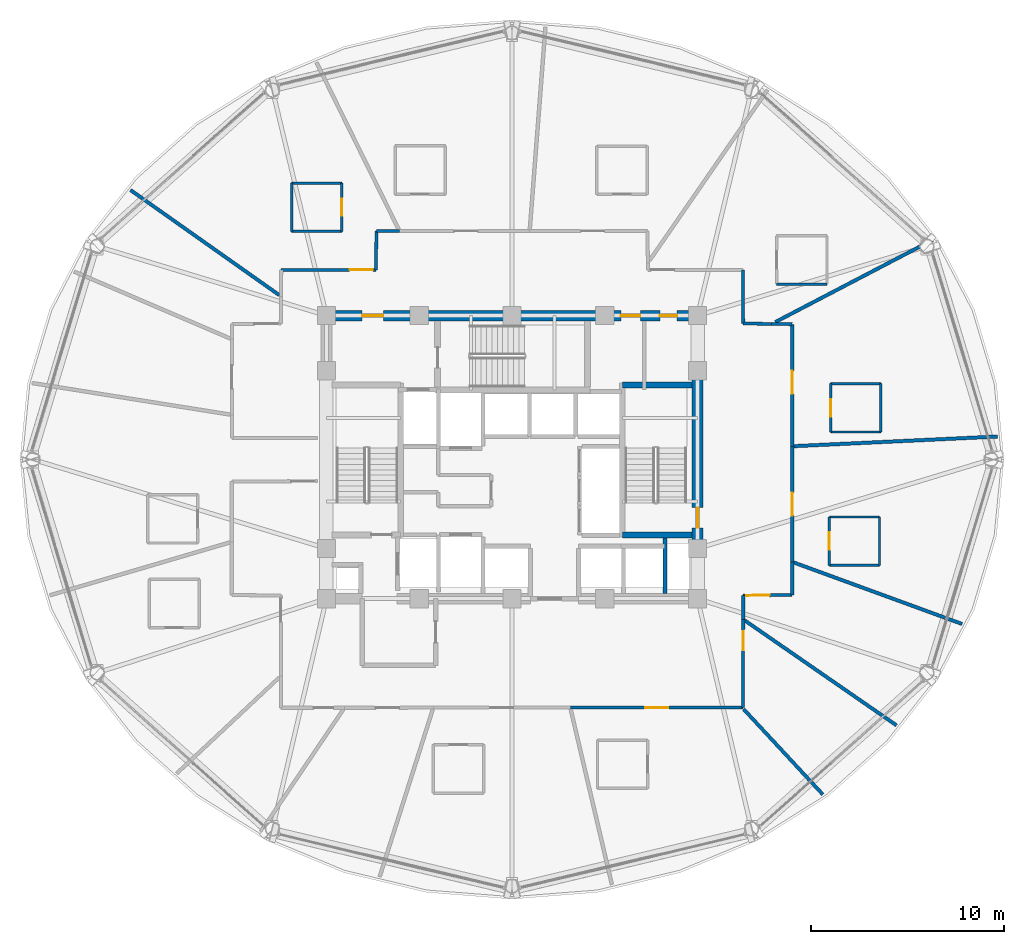
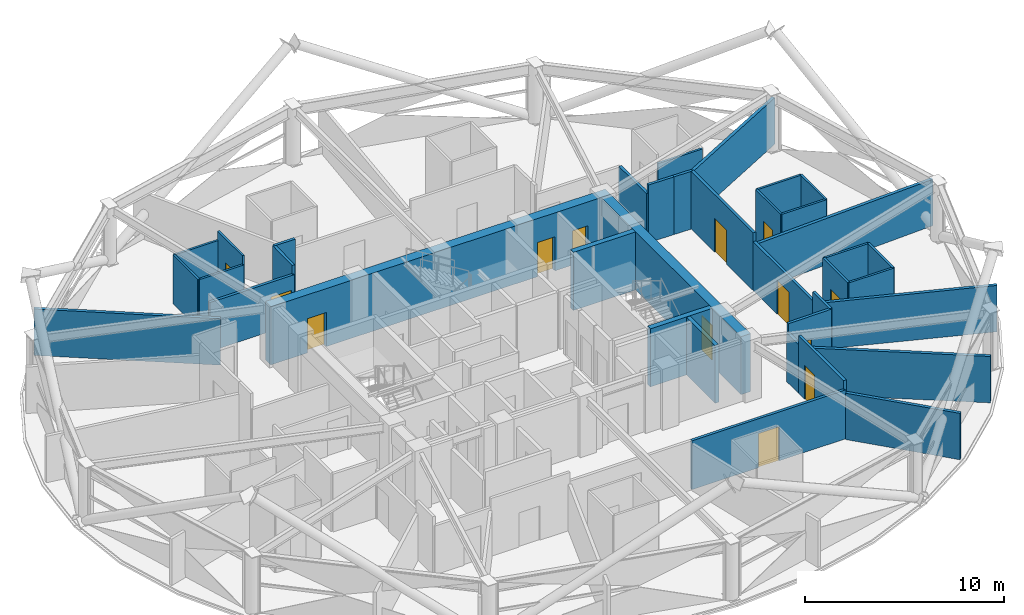
# One storey, part 24 of 29: 37 walls, 13 doors, 13 openings.
"""IFC4 building model written with IfcOpenShell, lengths in metres."""

from ifc_helpers import new_model, si_unit, direction, frame, frame_2d, origin, place, context, subcontext, project, spatial, rectangle, extrude, material, layer, layer_set, type_object, element, fill, save


model = new_model("IFC4")

# Units and contexts
model_context = context("Model", 3, precision=1e-05, world=origin(), true_north=direction((0.0, 1.0)))
body_context = subcontext(model_context, "Body", "Model", "MODEL_VIEW")
ifc_project = project(units=[si_unit("LENGTHUNIT", "METRE"), si_unit("AREAUNIT", "SQUARE_METRE"), si_unit("VOLUMEUNIT", "CUBIC_METRE"), si_unit("PLANEANGLEUNIT", "RADIAN"), si_unit("MASSUNIT", "GRAM", prefix="KILO")], contexts=[model_context])

# Site, building, storey
site_placement = place(None, origin())
site = spatial("IfcSite", under=ifc_project, at=site_placement, CompositionType="ELEMENT")
building_placement = place(site_placement, origin())
building = spatial("IfcBuilding", under=site, at=building_placement, Name="Vantalir Tower", CompositionType="ELEMENT")
storey_placement = place(building_placement, frame((0.0, 0.0, 149.699951171875)))
storey = spatial("IfcBuildingStorey", under=building, at=storey_placement, Name="L37", CompositionType="ELEMENT", Elevation=149.699951171875)

# Walls
ifc_material_1 = material(Name="Moisture-resistant en-suite partition", Category="gypsum")
ifc_layer_1 = layer(ifc_material_1, 0.125)
ifc_layer_set_1 = layer_set([ifc_layer_1], Name="Moisture-resistant en-suite partition")
wall_type_1 = type_object("IfcWallType", Name="WL-BATH-125", PredefinedType="PARTITIONING", material=ifc_layer_set_1)
for number, where, z_axis, x_axis, name in (
    (1, (47.988037109375, 26.425048828125, 0.0), (0.0, 0.0, 1.0), (1.0, 0.0, 0.0), "L37 En-suite 01 South Wall"),
    (2, (47.988037109375, 28.925048828125, 0.0), (0.0, 0.0, 1.0), (1.0, 0.0, 0.0), "L37 En-suite 01 North Wall"),
):
    element("IfcWall", number, at=place(storey_placement, frame(where, z_axis=z_axis, x_axis=x_axis)), inside=storey, type_object=wall_type_1, Name=name, PredefinedType="PARTITIONING", context=body_context, shape_type="SweptSolid", body=[
        extrude(rectangle(XDim=2.599853515625, YDim=0.125, at=frame_2d((1.2998046875, 0.0))), origin(), (0.0, 0.0, 1.0), 3.550048828125),
    ])

# Wall, opening, door
wall_1_placement = place(storey_placement, frame((47.988037109375, 26.425048828125, 0.0), z_axis=(0.0, 0.0, 1.0), x_axis=(0.0, 1.0, 0.0)))
wall_1 = element("IfcWall", 3, at=wall_1_placement, inside=storey, type_object=wall_type_1, Name="L37 En-suite 01 West Wall", PredefinedType="PARTITIONING", context=body_context, shape_type="SweptSolid", body=[
    extrude(rectangle(XDim=2.5, YDim=0.125, at=frame_2d((1.25, 0.0))), origin(), (0.0, 0.0, 1.0), 3.550048828125),
])
opening_1_placement = place(wall_1_placement, frame((0.800048828125, 0.0, 0.0)))
opening_1 = element("IfcOpeningElement", 4, at=opening_1_placement, cuts=wall_1, Name="Opening D-WC", PredefinedType="OPENING", context=body_context, shape_type="SweptSolid", body=[
    extrude(rectangle(XDim=0.89990234375, YDim=2.10009765625, at=frame_2d((0.449951171875, 1.050048828125))), frame((0.0, 0.072509765625, 0.0), z_axis=(0.0, -1.0, 0.0), x_axis=(1.0, 0.0, 0.0)), (0.0, 0.0, 1.0), 0.14501953125),
])
ifc_material_2 = material(Name="Moisture-resistant hardwood door", Category="wood")
door_type_1 = type_object("IfcDoorType", Name="DR-ENSUITE-900", OperationType="NOTDEFINED", PredefinedType="DOOR", material=ifc_material_2)
door_1_placement = place(opening_1_placement, frame((0.89990234375, 0.0, 0.0), z_axis=(0.0, 0.0, 1.0), x_axis=(-1.0, 0.0, 0.0)))
door_1 = element("IfcDoor", 5, at=door_1_placement, inside=storey, type_object=door_type_1, Name="L37 En-suite 01 Door", OperationType="SINGLE_SWING_LEFT", OverallHeight=2.10009765625, OverallWidth=0.89990234375, PredefinedType="DOOR", context=body_context, shape_type="SweptSolid", body=[
    extrude(rectangle(XDim=0.89990234375, YDim=2.10009765625, at=frame_2d((0.449951171875, 1.050048828125))), frame((0.0, 0.02490234375, 0.0), z_axis=(0.0, -1.0, 0.0), x_axis=(1.0, 0.0, 0.0)), (0.0, 0.0, 1.0), 0.050048828125),
])
fill(opening_1, door_1)

# Walls
wall_2_placement = place(storey_placement, frame((50.587890625, 26.425048828125, 0.0), z_axis=(0.0, 0.0, 1.0), x_axis=(0.0, 1.0, 0.0)))
element("IfcWall", 6, at=wall_2_placement, inside=storey, type_object=wall_type_1, Name="L37 En-suite 01 East Wall", PredefinedType="PARTITIONING", context=body_context, shape_type="SweptSolid", body=[
    extrude(rectangle(XDim=2.5, YDim=0.125, at=frame_2d((1.25, 0.0))), origin(), (0.0, 0.0, 1.0), 3.550048828125),
])
for number, where, z_axis, x_axis, name in (
    (7, (45.198974609375, 34.080078125, 0.0), (0.0, 0.0, 1.0), (1.0, 0.0, 0.0), "L37 En-suite 02 South Wall"),
    (8, (20.097900390625, 36.806884765625, 0.0), (0.0, 0.0, 1.0), (1.0, 0.0, 0.0), "L37 En-suite 05 South Wall"),
    (9, (20.097900390625, 39.306884765625, 0.0), (0.0, 0.0, 1.0), (1.0, 0.0, 0.0), "L37 En-suite 05 North Wall"),
):
    element("IfcWall", number, at=place(storey_placement, frame(where, z_axis=z_axis, x_axis=x_axis)), inside=storey, type_object=wall_type_1, Name=name, PredefinedType="PARTITIONING", context=body_context, shape_type="SweptSolid", body=[
        extrude(rectangle(XDim=2.60009765625, YDim=0.125, at=frame_2d((1.300048828125, 0.0))), origin(), (0.0, 0.0, 1.0), 3.006103515625),
    ])
wall_3_placement = place(storey_placement, frame((20.097900390625, 36.806884765625, 0.0), z_axis=(0.0, 0.0, 1.0), x_axis=(0.0, 1.0, 0.0)))
element("IfcWall", 10, at=wall_3_placement, inside=storey, type_object=wall_type_1, Name="L37 En-suite 05 West Wall", PredefinedType="PARTITIONING", context=body_context, shape_type="SweptSolid", body=[
    extrude(rectangle(XDim=2.5, YDim=0.125, at=frame_2d((1.25, 0.0))), origin(), (0.0, 0.0, 1.0), 3.006103515625),
])

# Wall, opening, door
wall_4_placement = place(storey_placement, frame((22.697998046875, 36.806884765625, 0.0), z_axis=(0.0, 0.0, 1.0), x_axis=(0.0, 1.0, 0.0)))
wall_4 = element("IfcWall", 11, at=wall_4_placement, inside=storey, type_object=wall_type_1, Name="L37 En-suite 05 East Wall", PredefinedType="PARTITIONING", context=body_context, shape_type="SweptSolid", body=[
    extrude(rectangle(XDim=2.5, YDim=0.125, at=frame_2d((1.25, 0.0))), origin(), (0.0, 0.0, 1.0), 3.550048828125),
])
opening_2_placement = place(wall_4_placement, frame((0.800048828125, 0.0, 0.0)))
opening_2 = element("IfcOpeningElement", 12, at=opening_2_placement, cuts=wall_4, Name="Opening D-WC", PredefinedType="OPENING", context=body_context, shape_type="SweptSolid", body=[
    extrude(rectangle(XDim=0.89990234375, YDim=2.10009765625, at=frame_2d((0.449951171875, 1.050048828125))), frame((0.0, 0.072509765625, 0.0), z_axis=(0.0, -1.0, 0.0), x_axis=(1.0, 0.0, 0.0)), (0.0, 0.0, 1.0), 0.14501953125),
])
door_2_placement = place(opening_2_placement, origin())
door_2 = element("IfcDoor", 13, at=door_2_placement, inside=storey, type_object=door_type_1, Name="L37 En-suite 05 Door", OperationType="SINGLE_SWING_LEFT", OverallHeight=2.10009765625, OverallWidth=0.89990234375, PredefinedType="DOOR", context=body_context, shape_type="SweptSolid", body=[
    extrude(rectangle(XDim=0.89990234375, YDim=2.10009765625, at=frame_2d((0.449951171875, 1.050048828125))), frame((0.0, 0.02490234375, 0.0), z_axis=(0.0, -1.0, 0.0), x_axis=(1.0, 0.0, 0.0)), (0.0, 0.0, 1.0), 0.050048828125),
])
fill(opening_2, door_2)

# Walls
for number, where, z_axis, x_axis, name in (
    (14, (47.9169921875, 19.527099609375, 0.0), (0.0, 0.0, 1.0), (1.0, 0.0, 0.0), "L37 En-suite 16 South Wall"),
    (15, (47.9169921875, 22.027099609375, 0.0), (0.0, 0.0, 1.0), (1.0, 0.0, 0.0), "L37 En-suite 16 North Wall"),
):
    element("IfcWall", number, at=place(storey_placement, frame(where, z_axis=z_axis, x_axis=x_axis)), inside=storey, type_object=wall_type_1, Name=name, PredefinedType="PARTITIONING", context=body_context, shape_type="SweptSolid", body=[
        extrude(rectangle(XDim=2.60009765625, YDim=0.125, at=frame_2d((1.300048828125, 0.0))), origin(), (0.0, 0.0, 1.0), 3.550048828125),
    ])

# Wall, opening, door
wall_5_placement = place(storey_placement, frame((47.9169921875, 19.527099609375, 0.0), z_axis=(0.0, 0.0, 1.0), x_axis=(0.0, 1.0, 0.0)))
wall_5 = element("IfcWall", 16, at=wall_5_placement, inside=storey, type_object=wall_type_1, Name="L37 En-suite 16 West Wall", PredefinedType="PARTITIONING", context=body_context, shape_type="SweptSolid", body=[
    extrude(rectangle(XDim=2.5, YDim=0.125, at=frame_2d((1.25, 0.0))), origin(), (0.0, 0.0, 1.0), 3.550048828125),
])
opening_3_placement = place(wall_5_placement, frame((0.800048828125, 0.0, 0.0)))
opening_3 = element("IfcOpeningElement", 17, at=opening_3_placement, cuts=wall_5, Name="Opening D-WC", PredefinedType="OPENING", context=body_context, shape_type="SweptSolid", body=[
    extrude(rectangle(XDim=0.89990234375, YDim=2.10009765625, at=frame_2d((0.449951171875, 1.050048828125))), frame((0.0, 0.072509765625, 0.0), z_axis=(0.0, -1.0, 0.0), x_axis=(1.0, 0.0, 0.0)), (0.0, 0.0, 1.0), 0.14501953125),
])
door_3_placement = place(opening_3_placement, frame((0.89990234375, 0.0, 0.0), z_axis=(0.0, 0.0, 1.0), x_axis=(-1.0, 0.0, 0.0)))
door_3 = element("IfcDoor", 18, at=door_3_placement, inside=storey, type_object=door_type_1, Name="L37 En-suite 16 Door", OperationType="SINGLE_SWING_RIGHT", OverallHeight=2.10009765625, OverallWidth=0.89990234375, PredefinedType="DOOR", context=body_context, shape_type="SweptSolid", body=[
    extrude(rectangle(XDim=0.89990234375, YDim=2.10009765625, at=frame_2d((0.449951171875, 1.050048828125))), frame((0.0, 0.02490234375, 0.0), z_axis=(0.0, -1.0, 0.0), x_axis=(1.0, 0.0, 0.0)), (0.0, 0.0, 1.0), 0.050048828125),
])
fill(opening_3, door_3)

# Wall
wall_6_placement = place(storey_placement, frame((50.51708984375, 19.527099609375, 0.0), z_axis=(0.0, 0.0, 1.0), x_axis=(0.0, 1.0, 0.0)))
element("IfcWall", 19, at=wall_6_placement, inside=storey, type_object=wall_type_1, Name="L37 En-suite 16 East Wall", PredefinedType="PARTITIONING", context=body_context, shape_type="SweptSolid", body=[
    extrude(rectangle(XDim=2.5, YDim=0.125, at=frame_2d((1.25, 0.0))), origin(), (0.0, 0.0, 1.0), 3.550048828125),
])

# Wall, openings, doors
ifc_material_3 = material(Name="Concrete C60/75", Category="concrete")
ifc_layer_2 = layer(ifc_material_3, 0.550048828125)
ifc_layer_set_2 = layer_set([ifc_layer_2], Name="Concrete C60/75")
wall_type_2 = type_object("IfcWallType", Name="WL-CORE-550", PredefinedType="SHEAR", material=ifc_layer_set_2)
wall_7_placement = place(storey_placement, frame((21.625, 32.449951171875, 0.0), z_axis=(0.0, 0.0, 1.0), x_axis=(1.0, 0.0, 0.0)))
wall_7 = element("IfcWall", 20, at=wall_7_placement, inside=storey, type_object=wall_type_2, Name="L37 Core Shear Wall North", PredefinedType="SHEAR", context=body_context, shape_type="SweptSolid", body=[
    extrude(rectangle(XDim=19.75, YDim=0.550048828125, at=frame_2d((9.875, 0.0))), origin(), (0.0, 0.0, 1.0), 3.570068359375),
])
opening_4_placement = place(wall_7_placement, frame((2.125, 0.0, 0.0)))
opening_4 = element("IfcOpeningElement", 21, at=opening_4_placement, cuts=wall_7, Name="Opening D-FFL", PredefinedType="OPENING", context=body_context, shape_type="SweptSolid", body=[
    extrude(rectangle(XDim=1.10009765625, YDim=2.10009765625, at=frame_2d((0.550048828125, 1.050048828125))), frame((0.0, 0.284912109375, 0.0), z_axis=(0.0, -1.0, 0.0), x_axis=(1.0, 0.0, 0.0)), (0.0, 0.0, 1.0), 0.570068359375),
])
opening_5_placement = place(wall_7_placement, frame((15.514892578125, 0.0, 0.0)))
opening_5 = element("IfcOpeningElement", 22, at=opening_5_placement, cuts=wall_7, Name="Opening D-GUEST", PredefinedType="OPENING", context=body_context, shape_type="SweptSolid", body=[
    extrude(rectangle(XDim=1.0, YDim=2.10009765625, at=frame_2d((0.5, 1.050048828125))), frame((0.0, 0.284912109375, 0.0), z_axis=(0.0, -1.0, 0.0), x_axis=(1.0, 0.0, 0.0)), (0.0, 0.0, 1.0), 0.570068359375),
])
opening_6_placement = place(wall_7_placement, frame((17.52490234375, 0.0, 0.0)))
opening_6 = element("IfcOpeningElement", 23, at=opening_6_placement, cuts=wall_7, Name="Opening D-CR", PredefinedType="OPENING", context=body_context, shape_type="SweptSolid", body=[
    extrude(rectangle(XDim=0.89990234375, YDim=2.10009765625, at=frame_2d((0.449951171875, 1.050048828125))), frame((0.0, 0.284912109375, 0.0), z_axis=(0.0, -1.0, 0.0), x_axis=(1.0, 0.0, 0.0)), (0.0, 0.0, 1.0), 0.570068359375),
])
ifc_material_4 = material(Name="Fire-rated steel core service door", Category="steel")
door_type_2 = type_object("IfcDoorType", Name="DR-CORE-SERV-900", OperationType="NOTDEFINED", PredefinedType="DOOR", material=ifc_material_4)
door_4_placement = place(opening_6_placement, frame((0.89990234375, 0.0, 0.0), z_axis=(0.0, 0.0, 1.0), x_axis=(-1.0, 0.0, 0.0)))
door_4 = element("IfcDoor", 24, at=door_4_placement, inside=storey, type_object=door_type_2, Name="L37 Housekeeping and Linen Room Door", OperationType="SINGLE_SWING_RIGHT", OverallHeight=2.10009765625, OverallWidth=0.89990234375, PredefinedType="DOOR", context=body_context, shape_type="SweptSolid", body=[
    extrude(rectangle(XDim=0.89990234375, YDim=2.10009765625, at=frame_2d((0.449951171875, 1.050048828125))), frame((0.0, 0.02490234375, 0.0), z_axis=(0.0, -1.0, 0.0), x_axis=(1.0, 0.0, 0.0)), (0.0, 0.0, 1.0), 0.050048828125),
])
fill(opening_6, door_4)
ifc_material_5 = material(Name="Fire-rated acoustic steel door", Category="steel")
door_type_3 = type_object("IfcDoorType", Name="DR-FIRE-LOBBY-1100", OperationType="NOTDEFINED", PredefinedType="DOOR", material=ifc_material_5)
door_5_placement = place(opening_4_placement, frame((1.10009765625, 0.0, 0.0), z_axis=(0.0, 0.0, 1.0), x_axis=(-1.0, 0.0, 0.0)))
door_5 = element("IfcDoor", 25, at=door_5_placement, inside=storey, type_object=door_type_3, Name="L37 Firefighting Lobby East Access Door", OperationType="SINGLE_SWING_LEFT", OverallHeight=2.10009765625, OverallWidth=1.10009765625, PredefinedType="DOOR", context=body_context, shape_type="SweptSolid", body=[
    extrude(rectangle(XDim=1.10009765625, YDim=2.10009765625, at=frame_2d((0.550048828125, 1.050048828125))), frame((0.0, 0.02490234375, 0.0), z_axis=(0.0, -1.0, 0.0), x_axis=(1.0, 0.0, 0.0)), (0.0, 0.0, 1.0), 0.050048828125),
])
fill(opening_4, door_5)
ifc_material_6 = material(Name="Solid-core teak veneer acoustic fire door", Category="wood")
door_type_4 = type_object("IfcDoorType", Name="DR-GUEST-ENTRY-1000", OperationType="NOTDEFINED", PredefinedType="DOOR", material=ifc_material_6)
door_6_placement = place(opening_5_placement, frame((1.0, 0.0, 0.0), z_axis=(0.0, 0.0, 1.0), x_axis=(-1.0, 0.0, 0.0)))
door_6 = element("IfcDoor", 26, at=door_6_placement, inside=storey, type_object=door_type_4, Name="L37 High-Rise Lift Lobby Door", OperationType="SINGLE_SWING_LEFT", OverallHeight=2.10009765625, OverallWidth=1.0, PredefinedType="DOOR", context=body_context, shape_type="SweptSolid", body=[
    extrude(rectangle(XDim=1.0, YDim=2.10009765625, at=frame_2d((0.5, 1.050048828125))), frame((0.0, 0.02490234375, 0.0), z_axis=(0.0, -1.0, 0.0), x_axis=(1.0, 0.0, 0.0)), (0.0, 0.0, 1.0), 0.050048828125),
])
fill(opening_5, door_6)

# Wall, opening, door
wall_8_placement = place(storey_placement, frame((41.10009765625, 18.074951171875, 0.0), z_axis=(0.0, 0.0, 1.0), x_axis=(0.0, 1.0, 0.0)))
wall_8 = element("IfcWall", 27, at=wall_8_placement, inside=storey, type_object=wall_type_2, Name="L37 Core Shear Wall East", PredefinedType="SHEAR", context=body_context, shape_type="SweptSolid", body=[
    extrude(rectangle(XDim=14.10009765625, YDim=0.550048828125, at=frame_2d((7.050048828125, 0.0))), origin(), (0.0, 0.0, 1.0), 3.570068359375),
])
opening_7_placement = place(wall_8_placement, frame((3.385009765625, 0.0, 0.0)))
opening_7 = element("IfcOpeningElement", 28, at=opening_7_placement, cuts=wall_8, Name="Opening D-ST", PredefinedType="OPENING", context=body_context, shape_type="SweptSolid", body=[
    extrude(rectangle(XDim=1.050048828125, YDim=2.10009765625, at=frame_2d((0.52490234375, 1.050048828125))), frame((0.0, 0.284912109375, 0.0), z_axis=(0.0, -1.0, 0.0), x_axis=(1.0, 0.0, 0.0)), (0.0, 0.0, 1.0), 0.570068359375),
])
ifc_material_7 = material(Name="Fire-rated steel door leaf", Category="steel")
door_type_5 = type_object("IfcDoorType", Name="DR-FIRE-STAIR-1050", OperationType="NOTDEFINED", PredefinedType="DOOR", material=ifc_material_7)
door_7_placement = place(opening_7_placement, origin())
door_7 = element("IfcDoor", 29, at=door_7_placement, inside=storey, type_object=door_type_5, Name="L37 Exit Stair ST2 Fire Door", OperationType="SINGLE_SWING_LEFT", OverallHeight=2.10009765625, OverallWidth=1.050048828125, PredefinedType="DOOR", context=body_context, shape_type="SweptSolid", body=[
    extrude(rectangle(XDim=1.050048828125, YDim=2.10009765625, at=frame_2d((0.52490234375, 1.050048828125))), frame((0.0, 0.02490234375, 0.0), z_axis=(0.0, -1.0, 0.0), x_axis=(1.0, 0.0, 0.0)), (0.0, 0.0, 1.0), 0.050048828125),
])
fill(opening_7, door_7)

ifc_material_8 = material(Name="Fire-rated hotel corridor acoustic partition", Category="gypsum")
ifc_layer_3 = layer(ifc_material_8, 0.159912109375)
ifc_layer_set_3 = layer_set([ifc_layer_3], Name="Fire-rated hotel corridor acoustic partition")
wall_type_3 = type_object("IfcWallType", Name="WL-CORR-160", PredefinedType="PARTITIONING", material=ifc_layer_set_3)
wall_9_placement = place(storey_placement, frame((19.56005859375, 34.81201171875, 0.0), z_axis=(0.0, 0.0, 1.0), x_axis=(0.999999821253, 0.000597907217, 0.0)))
wall_9 = element("IfcWall", 30, at=wall_9_placement, inside=storey, type_object=wall_type_3, Name="L37 Corridor Partition 08", PredefinedType="PARTITIONING", context=body_context, shape_type="SweptSolid", body=[
    extrude(rectangle(XDim=4.89990234375, YDim=0.159912109375, at=frame_2d((2.449951171875, 0.0))), origin(), (0.0, 0.0, 1.0), 3.006103515625),
])
opening_8_placement = place(wall_9_placement, frame((3.5400390625, 0.0, 0.0)))
opening_8 = element("IfcOpeningElement", 31, at=opening_8_placement, cuts=wall_9, Name="Opening D-STE", PredefinedType="OPENING", context=body_context, shape_type="SweptSolid", body=[
    extrude(rectangle(XDim=1.199951171875, YDim=2.10009765625, at=frame_2d((0.60009765625, 1.050048828125))), frame((0.0, 0.08984375, 0.0), z_axis=(0.0, -1.0, 0.0), x_axis=(1.0, 0.0, 0.0)), (0.0, 0.0, 1.0), 0.179931640625),
])
ifc_material_9 = material(Name="Solid-core teak veneer suite entrance door", Category="wood")
door_type_6 = type_object("IfcDoorType", Name="DR-SUITE-ENTRY-1200", OperationType="NOTDEFINED", PredefinedType="DOOR", material=ifc_material_9)
door_8_placement = place(opening_8_placement, origin())
door_8 = element("IfcDoor", 32, at=door_8_placement, inside=storey, type_object=door_type_6, Name="L37 Corner Panorama Hotel Suite 05 Door", OperationType="SINGLE_SWING_RIGHT", OverallHeight=2.10009765625, OverallWidth=1.199951171875, PredefinedType="DOOR", context=body_context, shape_type="SweptSolid", body=[
    extrude(rectangle(XDim=1.199951171875, YDim=2.10009765625, at=frame_2d((0.60009765625, 1.050048828125))), frame((0.0, 0.02490234375, 0.0), z_axis=(0.0, -1.0, 0.0), x_axis=(1.0, 0.0, 0.0)), (0.0, 0.0, 1.0), 0.050048828125),
])
fill(opening_8, door_8)

# Walls
wall_10_placement = place(storey_placement, frame((24.4599609375, 34.81494140625, 0.0), z_axis=(0.0, 0.0, 1.0), x_axis=(0.01251572883, 0.999921675199, 0.0)))
element("IfcWall", 33, at=wall_10_placement, inside=storey, type_object=wall_type_3, Name="L37 Corridor Partition 09", PredefinedType="PARTITIONING", context=body_context, shape_type="SweptSolid", body=[
    extrude(rectangle(XDim=2.00927734375, YDim=0.159912109375, at=frame_2d((1.004638671875, 0.0))), origin(), (0.0, 0.0, 1.0), 3.550048828125),
])
wall_11_placement = place(storey_placement, frame((24.485107421875, 36.823974609375, 0.0), z_axis=(0.0, 0.0, 1.0), x_axis=(0.999999664894, 0.000818665301, 0.0)))
element("IfcWall", 34, at=wall_11_placement, inside=storey, type_object=wall_type_3, Name="L37 Corridor Partition 10", PredefinedType="PARTITIONING", context=body_context, shape_type="SweptSolid", body=[
    extrude(rectangle(XDim=1.19287109375, YDim=0.159912109375, at=frame_2d((0.596435546875, 0.0))), origin(), (0.0, 0.0, 1.0), 3.550048828125),
])
wall_12_placement = place(storey_placement, frame((43.447021484375, 34.80810546875, 0.0), z_axis=(0.0, 0.0, 1.0), x_axis=(0.006526585281, -0.999978701615, 0.0)))
element("IfcWall", 35, at=wall_12_placement, inside=storey, type_object=wall_type_3, Name="L37 Corridor Partition 16", PredefinedType="PARTITIONING", context=body_context, shape_type="SweptSolid", body=[
    extrude(rectangle(XDim=2.76806640625, YDim=0.159912109375, at=frame_2d((1.384033203125, 0.0))), origin(), (0.0, 0.0, 1.0), 3.006103515625),
])
wall_13_placement = place(storey_placement, frame((43.465087890625, 32.0400390625, 0.0), z_axis=(0.0, 0.0, 1.0), x_axis=(0.999878959925, -0.015558454268, 0.0)))
element("IfcWall", 36, at=wall_13_placement, inside=storey, type_object=wall_type_3, Name="L37 Corridor Partition 17", PredefinedType="PARTITIONING", context=body_context, shape_type="SweptSolid", body=[
    extrude(rectangle(XDim=1.47509765625, YDim=0.159912109375, at=frame_2d((0.737548828125, 0.0))), origin(), (0.0, 0.0, 1.0), 3.550048828125),
])
wall_14_placement = place(storey_placement, frame((44.93994140625, 32.01708984375, 0.0), z_axis=(0.0, 0.0, 1.0), x_axis=(0.999870072285, -0.016119508305, 0.0)))
element("IfcWall", 37, at=wall_14_placement, inside=storey, type_object=wall_type_3, Name="L37 Corridor Partition 18", PredefinedType="PARTITIONING", context=body_context, shape_type="SweptSolid", body=[
    extrude(rectangle(XDim=1.060302734375, YDim=0.159912109375, at=frame_2d((0.5302734375, 0.0))), origin(), (0.0, 0.0, 1.0), 3.550048828125),
])

# Wall, opening, door
wall_15_placement = place(storey_placement, frame((46.0, 32.0, 0.0), z_axis=(0.0, 0.0, 1.0), x_axis=(0.0, -1.0, 0.0)))
wall_15 = element("IfcWall", 38, at=wall_15_placement, inside=storey, type_object=wall_type_3, Name="L37 Corridor Partition 19", PredefinedType="PARTITIONING", context=body_context, shape_type="SweptSolid", body=[
    extrude(rectangle(XDim=6.31298828125, YDim=0.159912109375, at=frame_2d((3.156494140625, 0.0))), origin(), (0.0, 0.0, 1.0), 3.550048828125),
])
opening_9_placement = place(wall_15_placement, frame((2.406982421875, 0.0, 0.0)))
opening_9 = element("IfcOpeningElement", 39, at=opening_9_placement, cuts=wall_15, Name="Opening D-STE", PredefinedType="OPENING", context=body_context, shape_type="SweptSolid", body=[
    extrude(rectangle(XDim=1.199951171875, YDim=2.10009765625, at=frame_2d((0.60009765625, 1.050048828125))), frame((0.0, 0.08984375, 0.0), z_axis=(0.0, -1.0, 0.0), x_axis=(1.0, 0.0, 0.0)), (0.0, 0.0, 1.0), 0.179931640625),
])
door_9_placement = place(opening_9_placement, origin())
door_9 = element("IfcDoor", 40, at=door_9_placement, inside=storey, type_object=door_type_6, Name="L37 Corner Panorama Hotel Suite 01 Door", OperationType="SINGLE_SWING_RIGHT", OverallHeight=2.10009765625, OverallWidth=1.199951171875, PredefinedType="DOOR", context=body_context, shape_type="SweptSolid", body=[
    extrude(rectangle(XDim=1.199951171875, YDim=2.10009765625, at=frame_2d((0.60009765625, 1.050048828125))), frame((0.0, 0.02490234375, 0.0), z_axis=(0.0, -1.0, 0.0), x_axis=(1.0, 0.0, 0.0)), (0.0, 0.0, 1.0), 0.050048828125),
])
fill(opening_9, door_9)

wall_16_placement = place(storey_placement, frame((46.0, 25.68701171875, 0.0), z_axis=(0.0, 0.0, 1.0), x_axis=(0.0, -1.0, 0.0)))
wall_16 = element("IfcWall", 41, at=wall_16_placement, inside=storey, type_object=wall_type_3, Name="L37 Corridor Partition 20", PredefinedType="PARTITIONING", context=body_context, shape_type="SweptSolid", body=[
    extrude(rectangle(XDim=5.984130859375, YDim=0.159912109375, at=frame_2d((2.9921875, 0.0))), origin(), (0.0, 0.0, 1.0), 3.006103515625),
])
opening_10_placement = place(wall_16_placement, frame((2.39208984375, 0.0, 0.0)))
opening_10 = element("IfcOpeningElement", 42, at=opening_10_placement, cuts=wall_16, Name="Opening D-STE", PredefinedType="OPENING", context=body_context, shape_type="SweptSolid", body=[
    extrude(rectangle(XDim=1.199951171875, YDim=2.10009765625, at=frame_2d((0.60009765625, 1.050048828125))), frame((0.0, 0.08984375, 0.0), z_axis=(0.0, -1.0, 0.0), x_axis=(1.0, 0.0, 0.0)), (0.0, 0.0, 1.0), 0.179931640625),
])
door_10_placement = place(opening_10_placement, origin())
door_10 = element("IfcDoor", 43, at=door_10_placement, inside=storey, type_object=door_type_6, Name="L37 Corner Panorama Hotel Suite 16 Door", OperationType="SINGLE_SWING_LEFT", OverallHeight=2.10009765625, OverallWidth=1.199951171875, PredefinedType="DOOR", context=body_context, shape_type="SweptSolid", body=[
    extrude(rectangle(XDim=1.199951171875, YDim=2.10009765625, at=frame_2d((0.60009765625, 1.050048828125))), frame((0.0, 0.02490234375, 0.0), z_axis=(0.0, -1.0, 0.0), x_axis=(1.0, 0.0, 0.0)), (0.0, 0.0, 1.0), 0.050048828125),
])
fill(opening_10, door_10)

# Wall
wall_17_placement = place(storey_placement, frame((46.0, 19.702880859375, 0.0), z_axis=(0.0, 0.0, 1.0), x_axis=(0.0, -1.0, 0.0)))
element("IfcWall", 44, at=wall_17_placement, inside=storey, type_object=wall_type_3, Name="L37 Corridor Partition 21", PredefinedType="PARTITIONING", context=body_context, shape_type="SweptSolid", body=[
    extrude(rectangle(XDim=1.706787109375, YDim=0.159912109375, at=frame_2d((0.853515625, 0.0))), origin(), (0.0, 0.0, 1.0), 3.550048828125),
])

# Wall, opening, door
wall_18_placement = place(storey_placement, frame((46.0, 17.99609375, 0.0), z_axis=(0.0, 0.0, 1.0), x_axis=(-0.999898426234, -0.014252621312, 0.0)))
wall_18 = element("IfcWall", 45, at=wall_18_placement, inside=storey, type_object=wall_type_3, Name="L37 Corridor Partition 22", PredefinedType="PARTITIONING", context=body_context, shape_type="SweptSolid", body=[
    extrude(rectangle(XDim=2.53515625, YDim=0.159912109375, at=frame_2d((1.267578125, 0.0))), origin(), (0.0, 0.0, 1.0), 3.550048828125),
])
opening_11_placement = place(wall_18_placement, frame((1.175048828125, 0.0, 0.0)))
opening_11 = element("IfcOpeningElement", 46, at=opening_11_placement, cuts=wall_18, Name="Opening D-STE", PredefinedType="OPENING", context=body_context, shape_type="SweptSolid", body=[
    extrude(rectangle(XDim=1.199951171875, YDim=2.10009765625, at=frame_2d((0.60009765625, 1.050048828125))), frame((0.0, 0.08984375, 0.0), z_axis=(0.0, -1.0, 0.0), x_axis=(1.0, 0.0, 0.0)), (0.0, 0.0, 1.0), 0.179931640625),
])
door_11_placement = place(opening_11_placement, origin())
door_11 = element("IfcDoor", 47, at=door_11_placement, inside=storey, type_object=door_type_6, Name="L37 Club Reading Lounge 15 Door", OperationType="SINGLE_SWING_RIGHT", OverallHeight=2.10009765625, OverallWidth=1.199951171875, PredefinedType="DOOR", context=body_context, shape_type="SweptSolid", body=[
    extrude(rectangle(XDim=1.199951171875, YDim=2.10009765625, at=frame_2d((0.60009765625, 1.050048828125))), frame((0.0, 0.02490234375, 0.0), z_axis=(0.0, -1.0, 0.0), x_axis=(1.0, 0.0, 0.0)), (0.0, 0.0, 1.0), 0.050048828125),
])
fill(opening_11, door_11)

# Wall
wall_19_placement = place(storey_placement, frame((43.465087890625, 17.9599609375, 0.0), z_axis=(0.0, 0.0, 1.0), x_axis=(-0.000793335728, -0.999999685309, 0.0)))
element("IfcWall", 48, at=wall_19_placement, inside=storey, type_object=wall_type_3, Name="L37 Corridor Partition 23", PredefinedType="PARTITIONING", context=body_context, shape_type="SweptSolid", body=[
    extrude(rectangle(XDim=1.23095703125, YDim=0.159912109375, at=frame_2d((0.615478515625, 0.0))), origin(), (0.0, 0.0, 1.0), 3.006103515625),
])

# Wall, opening, door
wall_20_placement = place(storey_placement, frame((43.464111328125, 16.72900390625, 0.0), z_axis=(0.0, 0.0, 1.0), x_axis=(-0.001338185291, -0.99999910463, 0.0)))
wall_20 = element("IfcWall", 49, at=wall_20_placement, inside=storey, type_object=wall_type_3, Name="L37 Corridor Partition 24", PredefinedType="PARTITIONING", context=body_context, shape_type="SweptSolid", body=[
    extrude(rectangle(XDim=4.56103515625, YDim=0.159912109375, at=frame_2d((2.280517578125, 0.0))), origin(), (0.0, 0.0, 1.0), 3.550048828125),
])
opening_12_placement = place(wall_20_placement, frame((0.60205078125, 0.0, 0.0)))
opening_12 = element("IfcOpeningElement", 50, at=opening_12_placement, cuts=wall_20, Name="Opening D-GUEST", PredefinedType="OPENING", context=body_context, shape_type="SweptSolid", body=[
    extrude(rectangle(XDim=1.0, YDim=2.10009765625, at=frame_2d((0.5, 1.050048828125))), frame((0.0, 0.08984375, 0.0), z_axis=(0.0, -1.0, 0.0), x_axis=(1.0, 0.0, 0.0)), (0.0, 0.0, 1.0), 0.179931640625),
])
door_12_placement = place(opening_12_placement, origin())
door_12 = element("IfcDoor", 51, at=door_12_placement, inside=storey, type_object=door_type_4, Name="L37 Executive Business Study 14 Door", OperationType="SINGLE_SWING_LEFT", OverallHeight=2.10009765625, OverallWidth=1.0, PredefinedType="DOOR", context=body_context, shape_type="SweptSolid", body=[
    extrude(rectangle(XDim=1.0, YDim=2.10009765625, at=frame_2d((0.5, 1.050048828125))), frame((0.0, 0.02490234375, 0.0), z_axis=(0.0, -1.0, 0.0), x_axis=(1.0, 0.0, 0.0)), (0.0, 0.0, 1.0), 0.050048828125),
])
fill(opening_12, door_12)

wall_21_placement = place(storey_placement, frame((43.4580078125, 12.16796875, 0.0), z_axis=(0.0, 0.0, 1.0), x_axis=(-0.99999990454, -0.000436943538, 0.0)))
wall_21 = element("IfcWall", 52, at=wall_21_placement, inside=storey, type_object=wall_type_3, Name="L37 Corridor Partition 25", PredefinedType="PARTITIONING", context=body_context, shape_type="SweptSolid", body=[
    extrude(rectangle(XDim=8.93994140625, YDim=0.159912109375, at=frame_2d((4.469970703125, 0.0))), origin(), (0.0, 0.0, 1.0), 3.006103515625),
])
opening_13_placement = place(wall_21_placement, frame((3.8701171875, 0.0, 0.0)))
opening_13 = element("IfcOpeningElement", 53, at=opening_13_placement, cuts=wall_21, Name="Opening D-STE", PredefinedType="OPENING", context=body_context, shape_type="SweptSolid", body=[
    extrude(rectangle(XDim=1.199951171875, YDim=2.10009765625, at=frame_2d((0.60009765625, 1.050048828125))), frame((0.0, 0.08984375, 0.0), z_axis=(0.0, -1.0, 0.0), x_axis=(1.0, 0.0, 0.0)), (0.0, 0.0, 1.0), 0.179931640625),
])
door_13_placement = place(opening_13_placement, origin())
door_13 = element("IfcDoor", 54, at=door_13_placement, inside=storey, type_object=door_type_6, Name="L37 Corner Panorama Hotel Suite 13 Door", OperationType="SINGLE_SWING_RIGHT", OverallHeight=2.10009765625, OverallWidth=1.199951171875, PredefinedType="DOOR", context=body_context, shape_type="SweptSolid", body=[
    extrude(rectangle(XDim=1.199951171875, YDim=2.10009765625, at=frame_2d((0.60009765625, 1.050048828125))), frame((0.0, 0.02490234375, 0.0), z_axis=(0.0, -1.0, 0.0), x_axis=(1.0, 0.0, 0.0)), (0.0, 0.0, 1.0), 0.050048828125),
])
fill(opening_13, door_13)

# Walls
ifc_material_10 = material(Name="Concrete blockwork with fireboard lining", Category="masonry")
ifc_layer_4 = layer(ifc_material_10, 0.219970703125)
ifc_layer_set_4 = layer_set([ifc_layer_4], Name="Concrete blockwork with fireboard lining")
wall_type_4 = type_object("IfcWallType", Name="WL-FFL-220", PredefinedType="PARTITIONING", material=ifc_layer_set_4)
wall_22_placement = place(storey_placement, frame((39.419921875, 18.074951171875, 0.0), z_axis=(0.0, 0.0, 1.0), x_axis=(0.0, 1.0, 0.0)))
element("IfcWall", 55, at=wall_22_placement, inside=storey, type_object=wall_type_4, Name="L37 East MEP Riser Wall W", PredefinedType="PARTITIONING", context=body_context, shape_type="SweptSolid", body=[
    extrude(rectangle(XDim=2.875, YDim=0.219970703125, at=frame_2d((1.4375, 0.0))), origin(), (0.0, 0.0, 1.0), 3.550048828125),
])
ifc_material_11 = material(Name="Twin-stud acoustic fire-rated gypsum partition", Category="gypsum")
ifc_layer_5 = layer(ifc_material_11, 0.179931640625)
ifc_layer_set_5 = layer_set([ifc_layer_5], Name="Twin-stud acoustic fire-rated gypsum partition")
wall_type_5 = type_object("IfcWallType", Name="WL-GUEST-180", PredefinedType="PARTITIONING", material=ifc_layer_set_5)
wall_23_placement = place(storey_placement, frame((46.074951171875, 25.69091796875, 0.0), z_axis=(0.0, 0.0, 1.0), x_axis=(0.998881289469, 0.04728815443, 0.0)))
element("IfcWall", 56, at=wall_23_placement, inside=storey, type_object=wall_type_5, Name="L37 Radial Suite Partition 01", PredefinedType="PARTITIONING", context=body_context, shape_type="SweptSolid", body=[
    extrude(rectangle(XDim=10.552734375, YDim=0.179931640625, at=frame_2d((5.2763671875, 0.0))), origin(), (0.0, 0.0, 1.0), 2.85205078125),
])
wall_24_placement = place(storey_placement, frame((45.1279296875, 32.114990234375, 0.0), z_axis=(0.0, 0.0, 1.0), x_axis=(0.886452073938, 0.46282039779, 0.0)))
element("IfcWall", 57, at=wall_24_placement, inside=storey, type_object=wall_type_5, Name="L37 Radial Suite Partition 02", PredefinedType="PARTITIONING", context=body_context, shape_type="SweptSolid", body=[
    extrude(rectangle(XDim=9.182861328125, YDim=0.179931640625, at=frame_2d((4.59130859375, 0.0))), origin(), (0.0, 0.0, 1.0), 2.85205078125),
])
wall_25_placement = place(storey_placement, frame((19.4599609375, 33.506103515625, 0.0), z_axis=(0.0, 0.0, 1.0), x_axis=(-0.816788462003, 0.576937265513, 0.0)))
element("IfcWall", 58, at=wall_25_placement, inside=storey, type_object=wall_type_5, Name="L37 Radial Suite Partition 06", PredefinedType="PARTITIONING", context=body_context, shape_type="SweptSolid", body=[
    extrude(rectangle(XDim=9.4306640625, YDim=0.179931640625, at=frame_2d((4.71533203125, 0.0))), origin(), (0.0, 0.0, 1.0), 2.85205078125),
])
wall_26_placement = place(storey_placement, frame((43.48095703125, 12.090087890625, 0.0), z_axis=(0.0, 0.0, 1.0), x_axis=(0.680170141703, -0.73305428062, 0.0)))
element("IfcWall", 59, at=wall_26_placement, inside=storey, type_object=wall_type_5, Name="L37 Radial Suite Partition 14", PredefinedType="PARTITIONING", context=body_context, shape_type="SweptSolid", body=[
    extrude(rectangle(XDim=6.03369140625, YDim=0.179931640625, at=frame_2d((3.016845703125, 0.0))), origin(), (0.0, 0.0, 1.0), 2.85205078125),
])
wall_27_placement = place(storey_placement, frame((43.5400390625, 16.677001953125, 0.0), z_axis=(0.0, 0.0, 1.0), x_axis=(0.822542691302, -0.568703368186, 0.0)))
element("IfcWall", 60, at=wall_27_placement, inside=storey, type_object=wall_type_5, Name="L37 Radial Suite Partition 15", PredefinedType="PARTITIONING", context=body_context, shape_type="SweptSolid", body=[
    extrude(rectangle(XDim=9.549560546875, YDim=0.179931640625, at=frame_2d((4.77490234375, 0.0))), origin(), (0.0, 0.0, 1.0), 2.85205078125),
])
wall_28_placement = place(storey_placement, frame((46.074951171875, 19.675048828125, 0.0), z_axis=(0.0, 0.0, 1.0), x_axis=(0.939296078377, -0.343107675731, 0.0)))
element("IfcWall", 61, at=wall_28_placement, inside=storey, type_object=wall_type_5, Name="L37 Radial Suite Partition 16", PredefinedType="PARTITIONING", context=body_context, shape_type="SweptSolid", body=[
    extrude(rectangle(XDim=9.27734375, YDim=0.179931640625, at=frame_2d((4.638671875, 0.0))), origin(), (0.0, 0.0, 1.0), 2.85205078125),
])
ifc_material_12 = material(Name="Concrete C50/60", Category="concrete")
ifc_layer_6 = layer(ifc_material_12, 0.300048828125)
ifc_layer_set_6 = layer_set([ifc_layer_6], Name="Concrete C50/60")
wall_type_6 = type_object("IfcWallType", Name="WL-STAIR-300", PredefinedType="SHEAR", material=ifc_layer_set_6)
for number, where, z_axis, x_axis, name in (
    (62, (37.2099609375, 21.10009765625, 0.0), (0.0, 0.0, 1.0), (1.0, 0.0, 0.0), "L37 Stair ST2 South Wall"),
    (63, (37.2099609375, 28.85009765625, 0.0), (0.0, 0.0, 1.0), (1.0, 0.0, 0.0), "L37 Stair ST2 North Wall"),
):
    element("IfcWall", number, at=place(storey_placement, frame(where, z_axis=z_axis, x_axis=x_axis)), inside=storey, type_object=wall_type_6, Name=name, PredefinedType="SHEAR", context=body_context, shape_type="SweptSolid", body=[
        extrude(rectangle(XDim=3.614990234375, YDim=0.300048828125, at=frame_2d((1.8076171875, 0.0))), origin(), (0.0, 0.0, 1.0), 3.570068359375),
    ])

save(model, "model.ifc")
